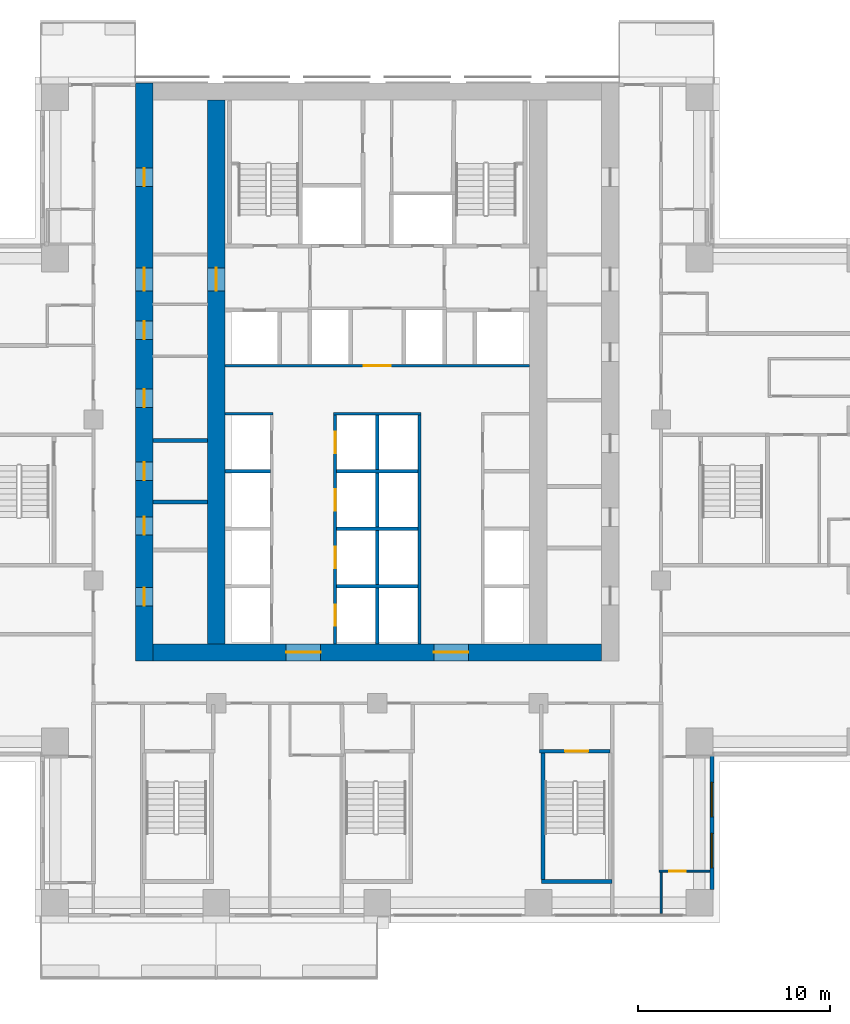
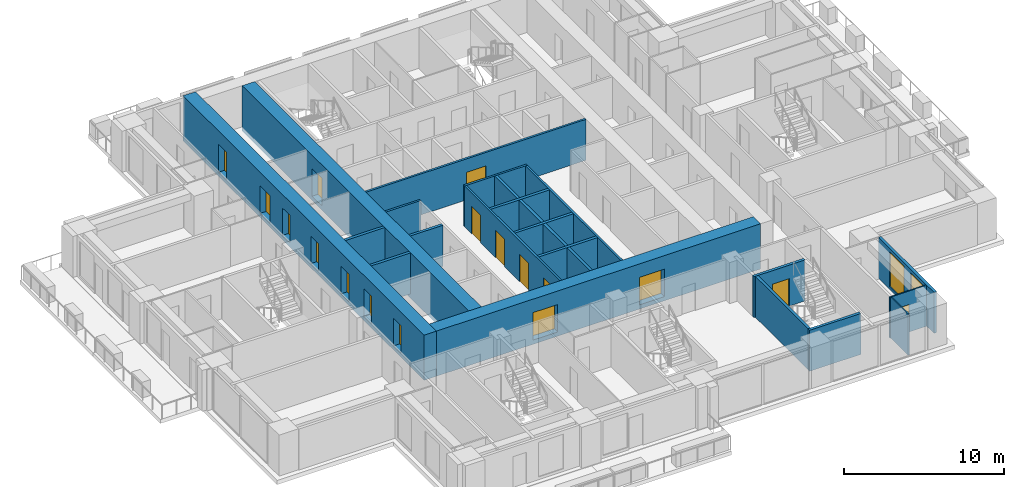
# One storey, part 8 of 17: 21 walls, 17 doors, 2 windows, 19 openings.
"""IFC4 building model written with IfcOpenShell, lengths in metres."""

from ifc_helpers import new_model, si_unit, direction, frame, frame_2d, origin, place, context, subcontext, project, spatial, rectangle, extrude, material, layer, layer_set, type_object, element, fill, save


model = new_model("IFC4")

# Units and contexts
model_context = context("Model", 3, precision=1e-05, world=origin(), true_north=direction((0.0, 1.0)))
body_context = subcontext(model_context, "Body", "Model", "MODEL_VIEW")
ifc_project = project(units=[si_unit("LENGTHUNIT", "METRE"), si_unit("AREAUNIT", "SQUARE_METRE"), si_unit("VOLUMEUNIT", "CUBIC_METRE"), si_unit("PLANEANGLEUNIT", "RADIAN"), si_unit("MASSUNIT", "GRAM", prefix="KILO")], contexts=[model_context])

# Site, building, storey
site_placement = place(None, origin())
site = spatial("IfcSite", under=ifc_project, at=site_placement, CompositionType="ELEMENT")
building_placement = place(site_placement, origin())
building = spatial("IfcBuilding", under=site, at=building_placement, Name="Vermilion Ogive Tower", CompositionType="ELEMENT")
storey_placement = place(building_placement, frame((0.0, 0.0, 58.64990234375)))
storey = spatial("IfcBuildingStorey", under=building, at=storey_placement, Name="L13", CompositionType="ELEMENT", Elevation=58.64990234375)

# Wall, openings, doors
ifc_material_1 = material(Name="Concrete B80", Category="concrete")
ifc_layer_1 = layer(ifc_material_1, 0.89990234375)
ifc_layer_set_1 = layer_set([ifc_layer_1], Name="Core wall 900 B80")
wall_type_1 = type_object("IfcWallType", Name="Core wall 900 B80", PredefinedType="SHEAR", material=ifc_layer_set_1)
wall_1_placement = place(storey_placement, frame((-12.14990234375, -8.39990234375, -0.31982421875), z_axis=(0.0, 0.0, 1.0), x_axis=(0.0, 1.0, 0.0)))
wall_1 = element("IfcWall", 1, at=wall_1_placement, inside=storey, type_object=wall_type_1, Name="L13-CORE-W", PredefinedType="SHEAR", context=body_context, shape_type="SweptSolid", body=[
    extrude(rectangle(XDim=30.14990234375, YDim=0.89990234375, at=frame_2d((15.074951171875, 0.0))), origin(), (0.0, 0.0, 1.0), 3.449951171875),
])
opening_1_placement = place(wall_1_placement, frame((2.875, 0.0, 0.320068359375)))
opening_1 = element("IfcOpeningElement", 2, at=opening_1_placement, cuts=wall_1, Name="Opening DAD017", PredefinedType="OPENING", context=body_context, shape_type="SweptSolid", body=[
    extrude(rectangle(XDim=0.949951171875, YDim=2.10009765625, at=frame_2d((0.47509765625, 1.050048828125))), frame((0.0, 0.4599609375, 0.0), z_axis=(0.0, -1.0, 0.0), x_axis=(1.0, 0.0, 0.0)), (0.0, 0.0, 1.0), 0.919921875),
])
opening_2_placement = place(wall_1_placement, frame((6.574951171875, 0.0, 0.320068359375)))
opening_2 = element("IfcOpeningElement", 3, at=opening_2_placement, cuts=wall_1, Name="Opening DAD018", PredefinedType="OPENING", context=body_context, shape_type="SweptSolid", body=[
    extrude(rectangle(XDim=0.949951171875, YDim=2.10009765625, at=frame_2d((0.47509765625, 1.050048828125))), frame((0.0, 0.4599609375, 0.0), z_axis=(0.0, -1.0, 0.0), x_axis=(1.0, 0.0, 0.0)), (0.0, 0.0, 1.0), 0.919921875),
])
opening_3_placement = place(wall_1_placement, frame((9.425048828125, 0.0, 0.320068359375)))
opening_3 = element("IfcOpeningElement", 4, at=opening_3_placement, cuts=wall_1, Name="Opening DAD019", PredefinedType="OPENING", context=body_context, shape_type="SweptSolid", body=[
    extrude(rectangle(XDim=0.949951171875, YDim=2.10009765625, at=frame_2d((0.47509765625, 1.050048828125))), frame((0.0, 0.4599609375, 0.0), z_axis=(0.0, -1.0, 0.0), x_axis=(1.0, 0.0, 0.0)), (0.0, 0.0, 1.0), 0.919921875),
])
opening_4_placement = place(wall_1_placement, frame((13.22509765625, 0.0, 0.320068359375)))
opening_4 = element("IfcOpeningElement", 5, at=opening_4_placement, cuts=wall_1, Name="Opening DAD020", PredefinedType="OPENING", context=body_context, shape_type="SweptSolid", body=[
    extrude(rectangle(XDim=0.949951171875, YDim=2.10009765625, at=frame_2d((0.47509765625, 1.050048828125))), frame((0.0, 0.4599609375, 0.0), z_axis=(0.0, -1.0, 0.0), x_axis=(1.0, 0.0, 0.0)), (0.0, 0.0, 1.0), 0.919921875),
])
opening_5_placement = place(wall_1_placement, frame((16.77490234375, 0.0, 0.320068359375)))
opening_5 = element("IfcOpeningElement", 6, at=opening_5_placement, cuts=wall_1, Name="Opening DAD021", PredefinedType="OPENING", context=body_context, shape_type="SweptSolid", body=[
    extrude(rectangle(XDim=0.949951171875, YDim=2.10009765625, at=frame_2d((0.47509765625, 1.050048828125))), frame((0.0, 0.4599609375, 0.0), z_axis=(0.0, -1.0, 0.0), x_axis=(1.0, 0.0, 0.0)), (0.0, 0.0, 1.0), 0.919921875),
])
opening_6_placement = place(wall_1_placement, frame((24.75, 0.0, 0.320068359375)))
opening_6 = element("IfcOpeningElement", 7, at=opening_6_placement, cuts=wall_1, Name="Opening DAD022", PredefinedType="OPENING", context=body_context, shape_type="SweptSolid", body=[
    extrude(rectangle(XDim=0.949951171875, YDim=2.10009765625, at=frame_2d((0.47509765625, 1.050048828125))), frame((0.0, 0.4599609375, 0.0), z_axis=(0.0, -1.0, 0.0), x_axis=(1.0, 0.0, 0.0)), (0.0, 0.0, 1.0), 0.919921875),
])
opening_7_placement = place(wall_1_placement, frame((19.300048828125, 0.0, 0.320068359375)))
opening_7 = element("IfcOpeningElement", 8, at=opening_7_placement, cuts=wall_1, Name="Opening DAM004", PredefinedType="OPENING", context=body_context, shape_type="SweptSolid", body=[
    extrude(rectangle(XDim=1.199951171875, YDim=2.10009765625, at=frame_2d((0.60009765625, 1.050048828125))), frame((0.0, 0.4599609375, 0.0), z_axis=(0.0, -1.0, 0.0), x_axis=(1.0, 0.0, 0.0)), (0.0, 0.0, 1.0), 0.919921875),
])
ifc_material_2 = material(Name="Timber door leaf", Category="wood")
door_type_1 = type_object("IfcDoorType", Name="Link door 1200 x 2100 FD60S", OperationType="SINGLE_SWING_LEFT", PredefinedType="DOOR", material=ifc_material_2)
door_1_placement = place(opening_7_placement, origin())
door_1 = element("IfcDoor", 9, at=door_1_placement, inside=storey, type_object=door_type_1, Name="L13-CKW-XL", OperationType="SINGLE_SWING_LEFT", OverallHeight=2.10009765625, OverallWidth=1.199951171875, PredefinedType="DOOR", context=body_context, shape_type="SweptSolid", body=[
    extrude(rectangle(XDim=1.199951171875, YDim=2.10009765625, at=frame_2d((0.60009765625, 1.050048828125))), frame((0.0, 0.02490234375, 0.0), z_axis=(0.0, -1.0, 0.0), x_axis=(1.0, 0.0, 0.0)), (0.0, 0.0, 1.0), 0.050048828125),
])
fill(opening_7, door_1)
ifc_material_3 = material(Name="Timber door leaf", Category="wood")
door_type_2 = type_object("IfcDoorType", Name="Service door 950 x 2100 FD60", OperationType="SINGLE_SWING_LEFT", PredefinedType="DOOR", material=ifc_material_3)
door_2_placement = place(opening_1_placement, origin())
door_2 = element("IfcDoor", 10, at=door_2_placement, inside=storey, type_object=door_type_2, Name="L13-CKW-XR0", OperationType="SINGLE_SWING_LEFT", OverallHeight=2.10009765625, OverallWidth=0.949951171875, PredefinedType="DOOR", context=body_context, shape_type="SweptSolid", body=[
    extrude(rectangle(XDim=0.949951171875, YDim=2.10009765625, at=frame_2d((0.47509765625, 1.050048828125))), frame((0.0, 0.02490234375, 0.0), z_axis=(0.0, -1.0, 0.0), x_axis=(1.0, 0.0, 0.0)), (0.0, 0.0, 1.0), 0.050048828125),
])
fill(opening_1, door_2)
door_3_placement = place(opening_2_placement, origin())
door_3 = element("IfcDoor", 11, at=door_3_placement, inside=storey, type_object=door_type_2, Name="L13-CKW-XR1", OperationType="SINGLE_SWING_LEFT", OverallHeight=2.10009765625, OverallWidth=0.949951171875, PredefinedType="DOOR", context=body_context, shape_type="SweptSolid", body=[
    extrude(rectangle(XDim=0.949951171875, YDim=2.10009765625, at=frame_2d((0.47509765625, 1.050048828125))), frame((0.0, 0.02490234375, 0.0), z_axis=(0.0, -1.0, 0.0), x_axis=(1.0, 0.0, 0.0)), (0.0, 0.0, 1.0), 0.050048828125),
])
fill(opening_2, door_3)
door_4_placement = place(opening_3_placement, origin())
door_4 = element("IfcDoor", 12, at=door_4_placement, inside=storey, type_object=door_type_2, Name="L13-CKW-XR2", OperationType="SINGLE_SWING_LEFT", OverallHeight=2.10009765625, OverallWidth=0.949951171875, PredefinedType="DOOR", context=body_context, shape_type="SweptSolid", body=[
    extrude(rectangle(XDim=0.949951171875, YDim=2.10009765625, at=frame_2d((0.47509765625, 1.050048828125))), frame((0.0, 0.02490234375, 0.0), z_axis=(0.0, -1.0, 0.0), x_axis=(1.0, 0.0, 0.0)), (0.0, 0.0, 1.0), 0.050048828125),
])
fill(opening_3, door_4)
door_5_placement = place(opening_4_placement, origin())
door_5 = element("IfcDoor", 13, at=door_5_placement, inside=storey, type_object=door_type_2, Name="L13-CKW-XR3", OperationType="SINGLE_SWING_LEFT", OverallHeight=2.10009765625, OverallWidth=0.949951171875, PredefinedType="DOOR", context=body_context, shape_type="SweptSolid", body=[
    extrude(rectangle(XDim=0.949951171875, YDim=2.10009765625, at=frame_2d((0.47509765625, 1.050048828125))), frame((0.0, 0.02490234375, 0.0), z_axis=(0.0, -1.0, 0.0), x_axis=(1.0, 0.0, 0.0)), (0.0, 0.0, 1.0), 0.050048828125),
])
fill(opening_4, door_5)
door_6_placement = place(opening_5_placement, origin())
door_6 = element("IfcDoor", 14, at=door_6_placement, inside=storey, type_object=door_type_2, Name="L13-CKW-XR4", OperationType="SINGLE_SWING_LEFT", OverallHeight=2.10009765625, OverallWidth=0.949951171875, PredefinedType="DOOR", context=body_context, shape_type="SweptSolid", body=[
    extrude(rectangle(XDim=0.949951171875, YDim=2.10009765625, at=frame_2d((0.47509765625, 1.050048828125))), frame((0.0, 0.02490234375, 0.0), z_axis=(0.0, -1.0, 0.0), x_axis=(1.0, 0.0, 0.0)), (0.0, 0.0, 1.0), 0.050048828125),
])
fill(opening_5, door_6)
door_7_placement = place(opening_6_placement, origin())
door_7 = element("IfcDoor", 15, at=door_7_placement, inside=storey, type_object=door_type_2, Name="L13-CKW-XR5", OperationType="SINGLE_SWING_LEFT", OverallHeight=2.10009765625, OverallWidth=0.949951171875, PredefinedType="DOOR", context=body_context, shape_type="SweptSolid", body=[
    extrude(rectangle(XDim=0.949951171875, YDim=2.10009765625, at=frame_2d((0.47509765625, 1.050048828125))), frame((0.0, 0.02490234375, 0.0), z_axis=(0.0, -1.0, 0.0), x_axis=(1.0, 0.0, 0.0)), (0.0, 0.0, 1.0), 0.050048828125),
])
fill(opening_6, door_7)

wall_2_placement = place(storey_placement, frame((-11.699951171875, -7.949951171875, -0.31982421875), z_axis=(0.0, 0.0, 1.0), x_axis=(1.0, 0.0, 0.0)))
wall_2 = element("IfcWall", 16, at=wall_2_placement, inside=storey, type_object=wall_type_1, Name="L13-CORE-S", PredefinedType="SHEAR", context=body_context, shape_type="SweptSolid", body=[
    extrude(rectangle(XDim=23.39990234375, YDim=0.89990234375, at=frame_2d((11.699951171875, 0.0))), origin(), (0.0, 0.0, 1.0), 3.449951171875),
])
opening_8_placement = place(wall_2_placement, frame((6.949951171875, 0.0, 0.320068359375)))
opening_8 = element("IfcOpeningElement", 17, at=opening_8_placement, cuts=wall_2, Name="Opening DAH007", PredefinedType="OPENING", context=body_context, shape_type="SweptSolid", body=[
    extrude(rectangle(XDim=1.800048828125, YDim=2.10009765625, at=frame_2d((0.89990234375, 1.050048828125))), frame((0.0, 0.4599609375, 0.0), z_axis=(0.0, -1.0, 0.0), x_axis=(1.0, 0.0, 0.0)), (0.0, 0.0, 1.0), 0.919921875),
])
opening_9_placement = place(wall_2_placement, frame((14.64990234375, 0.0, 0.320068359375)))
opening_9 = element("IfcOpeningElement", 18, at=opening_9_placement, cuts=wall_2, Name="Opening DAH008", PredefinedType="OPENING", context=body_context, shape_type="SweptSolid", body=[
    extrude(rectangle(XDim=1.800048828125, YDim=2.10009765625, at=frame_2d((0.89990234375, 1.050048828125))), frame((0.0, 0.4599609375, 0.0), z_axis=(0.0, -1.0, 0.0), x_axis=(1.0, 0.0, 0.0)), (0.0, 0.0, 1.0), 0.919921875),
])
ifc_material_4 = material(Name="Timber door leaf", Category="wood")
door_type_3 = type_object("IfcDoorType", Name="Core entry door 1800 x 2100 FD60S", OperationType="DOUBLE_DOOR_SINGLE_SWING", PredefinedType="DOOR", material=ifc_material_4)
door_8_placement = place(opening_8_placement, origin())
door_8 = element("IfcDoor", 19, at=door_8_placement, inside=storey, type_object=door_type_3, Name="L13-CK-XD1", OperationType="SINGLE_SWING_LEFT", OverallHeight=2.10009765625, OverallWidth=1.800048828125, PredefinedType="DOOR", context=body_context, shape_type="SweptSolid", body=[
    extrude(rectangle(XDim=1.800048828125, YDim=2.10009765625, at=frame_2d((0.89990234375, 1.050048828125))), frame((0.0, 0.02490234375, 0.0), z_axis=(0.0, -1.0, 0.0), x_axis=(1.0, 0.0, 0.0)), (0.0, 0.0, 1.0), 0.050048828125),
])
fill(opening_8, door_8)
door_9_placement = place(opening_9_placement, origin())
door_9 = element("IfcDoor", 20, at=door_9_placement, inside=storey, type_object=door_type_3, Name="L13-CK-XD2", OperationType="SINGLE_SWING_LEFT", OverallHeight=2.10009765625, OverallWidth=1.800048828125, PredefinedType="DOOR", context=body_context, shape_type="SweptSolid", body=[
    extrude(rectangle(XDim=1.800048828125, YDim=2.10009765625, at=frame_2d((0.89990234375, 1.050048828125))), frame((0.0, 0.02490234375, 0.0), z_axis=(0.0, -1.0, 0.0), x_axis=(1.0, 0.0, 0.0)), (0.0, 0.0, 1.0), 0.050048828125),
])
fill(opening_9, door_9)

# Wall, opening, door
wall_3_placement = place(storey_placement, frame((-8.39990234375, -7.5, -0.31982421875), z_axis=(0.0, 0.0, 1.0), x_axis=(0.0, 1.0, 0.0)))
wall_3 = element("IfcWall", 21, at=wall_3_placement, inside=storey, type_object=wall_type_1, Name="L13-CORE-WEB1", PredefinedType="SHEAR", context=body_context, shape_type="SweptSolid", body=[
    extrude(rectangle(XDim=28.35009765625, YDim=0.89990234375, at=frame_2d((14.175048828125, 0.0))), origin(), (0.0, 0.0, 1.0), 3.449951171875),
])
opening_10_placement = place(wall_3_placement, frame((18.39990234375, 0.0, 0.320068359375)))
opening_10 = element("IfcOpeningElement", 22, at=opening_10_placement, cuts=wall_3, Name="Opening DAP004", PredefinedType="OPENING", context=body_context, shape_type="SweptSolid", body=[
    extrude(rectangle(XDim=1.199951171875, YDim=2.10009765625, at=frame_2d((0.60009765625, 1.050048828125))), frame((0.0, 0.4599609375, 0.0), z_axis=(0.0, -1.0, 0.0), x_axis=(1.0, 0.0, 0.0)), (0.0, 0.0, 1.0), 0.919921875),
])
door_10_placement = place(opening_10_placement, origin())
door_10 = element("IfcDoor", 23, at=door_10_placement, inside=storey, type_object=door_type_1, Name="L13-CKW-XW", OperationType="SINGLE_SWING_LEFT", OverallHeight=2.10009765625, OverallWidth=1.199951171875, PredefinedType="DOOR", context=body_context, shape_type="SweptSolid", body=[
    extrude(rectangle(XDim=1.199951171875, YDim=2.10009765625, at=frame_2d((0.60009765625, 1.050048828125))), frame((0.0, 0.02490234375, 0.0), z_axis=(0.0, -1.0, 0.0), x_axis=(1.0, 0.0, 0.0)), (0.0, 0.0, 1.0), 0.050048828125),
])
fill(opening_10, door_10)

ifc_material_5 = material(Name="Gypsum board partition on steel studs", Category="steel")
ifc_layer_2 = layer(ifc_material_5, 0.10009765625)
ifc_layer_set_2 = layer_set([ifc_layer_2], Name="Partition 100 bath")
wall_type_2 = type_object("IfcWallType", Name="Partition 100 bath", PredefinedType="PARTITIONING", material=ifc_layer_set_2)
wall_4_placement = place(storey_placement, frame((14.699951171875, -19.35009765625, 0.0), z_axis=(0.0, 0.0, 1.0), x_axis=(1.0, 0.0, 0.0)))
wall_4 = element("IfcWall", 24, at=wall_4_placement, inside=storey, type_object=wall_type_2, Name="L13-W-W005", PredefinedType="PARTITIONING", context=body_context, shape_type="SweptSolid", body=[
    extrude(rectangle(XDim=2.650146484375, YDim=0.10009765625, at=frame_2d((1.3251953125, 0.0))), origin(), (0.0, 0.0, 1.0), 3.130126953125),
])
opening_11_placement = place(wall_4_placement, frame((0.525146484375, 0.0, 0.0)))
opening_11 = element("IfcOpeningElement", 25, at=opening_11_placement, cuts=wall_4, Name="Opening D1G4018", PredefinedType="OPENING", context=body_context, shape_type="SweptSolid", body=[
    extrude(rectangle(XDim=0.85009765625, YDim=2.10009765625, at=frame_2d((0.425048828125, 1.050048828125))), frame((0.0, 0.06005859375, 0.0), z_axis=(0.0, -1.0, 0.0), x_axis=(1.0, 0.0, 0.0)), (0.0, 0.0, 1.0), 0.1201171875),
])
ifc_material_6 = material(Name="Timber door leaf", Category="wood")
door_type_4 = type_object("IfcDoorType", Name="Bath door 850 x 2100 FD30", OperationType="SINGLE_SWING_LEFT", PredefinedType="DOOR", material=ifc_material_6)
door_11_placement = place(opening_11_placement, origin())
door_11 = element("IfcDoor", 26, at=door_11_placement, inside=storey, type_object=door_type_4, Name="L13-D-D018", OperationType="SINGLE_SWING_LEFT", OverallHeight=2.10009765625, OverallWidth=0.85009765625, PredefinedType="DOOR", context=body_context, shape_type="SweptSolid", body=[
    extrude(rectangle(XDim=0.85009765625, YDim=2.10009765625, at=frame_2d((0.425048828125, 1.050048828125))), frame((0.0, 0.02490234375, 0.0), z_axis=(0.0, -1.0, 0.0), x_axis=(1.0, 0.0, 0.0)), (0.0, 0.0, 1.0), 0.050048828125),
])
fill(opening_11, door_11)

# Walls
wall_5_placement = place(storey_placement, frame((14.800048828125, -21.550048828125, 0.0), z_axis=(0.0, 0.0, 1.0), x_axis=(0.0, 1.0, 0.0)))
element("IfcWall", 27, at=wall_5_placement, inside=storey, type_object=wall_type_2, Name="L13-W-W069", PredefinedType="PARTITIONING", context=body_context, shape_type="SweptSolid", body=[
    extrude(rectangle(XDim=2.150146484375, YDim=0.10009765625, at=frame_2d((1.0751953125, 0.0))), origin(), (0.0, 0.0, 1.0), 3.130126953125),
])
ifc_material_7 = material(Name="Gypsum board partition on steel studs", Category="steel")
ifc_layer_3 = layer(ifc_material_7, 0.14990234375)
ifc_layer_set_3 = layer_set([ifc_layer_3], Name="Partition 150 corridor")
wall_type_3 = type_object("IfcWallType", Name="Partition 150 corridor", PredefinedType="PARTITIONING", material=ifc_layer_set_3)
wall_6_placement = place(storey_placement, frame((-7.948974609375, 4.5, 0.0), z_axis=(0.0, 0.0, 1.0), x_axis=(1.0, 0.0, 0.0)))
element("IfcWall", 28, at=wall_6_placement, inside=storey, type_object=wall_type_3, Name="L13-CK-W-W010", PredefinedType="PARTITIONING", context=body_context, shape_type="SweptSolid", body=[
    extrude(rectangle(XDim=2.52392578125, YDim=0.14990234375, at=frame_2d((1.261962890625, 0.0))), origin(), (0.0, 0.0, 1.0), 3.130126953125),
])
wall_7_placement = place(storey_placement, frame((-2.27490234375, 4.5, 0.0), z_axis=(0.0, 0.0, 1.0), x_axis=(1.0, 0.0, 0.0)))
element("IfcWall", 29, at=wall_7_placement, inside=storey, type_object=wall_type_3, Name="L13-CK-W-W011", PredefinedType="PARTITIONING", context=body_context, shape_type="SweptSolid", body=[
    extrude(rectangle(XDim=4.5498046875, YDim=0.14990234375, at=frame_2d((2.27490234375, 0.0))), origin(), (0.0, 0.0, 1.0), 3.130126953125),
])

# Wall, opening, door
wall_8_placement = place(storey_placement, frame((-7.948974609375, 7.0, 0.0), z_axis=(0.0, 0.0, 1.0), x_axis=(1.0, 0.0, 0.0)))
wall_8 = element("IfcWall", 30, at=wall_8_placement, inside=storey, type_object=wall_type_3, Name="L13-CK-W-W013", PredefinedType="PARTITIONING", context=body_context, shape_type="SweptSolid", body=[
    extrude(rectangle(XDim=15.89794921875, YDim=0.14990234375, at=frame_2d((7.948974609375, 0.0))), origin(), (0.0, 0.0, 1.0), 3.130126953125),
])
opening_12_placement = place(wall_8_placement, frame((7.2490234375, 0.0, 0.0)))
opening_12 = element("IfcOpeningElement", 31, at=opening_12_placement, cuts=wall_8, Name="Opening DAA070", PredefinedType="OPENING", context=body_context, shape_type="SweptSolid", body=[
    extrude(rectangle(XDim=1.39990234375, YDim=2.10009765625, at=frame_2d((0.699951171875, 1.050048828125))), frame((0.0, 0.0849609375, 0.0), z_axis=(0.0, -1.0, 0.0), x_axis=(1.0, 0.0, 0.0)), (0.0, 0.0, 1.0), 0.169921875),
])
ifc_material_8 = material(Name="Timber door leaf", Category="wood")
door_type_5 = type_object("IfcDoorType", Name="Lobby door 1400 x 2100 FD60S", OperationType="SINGLE_SWING_LEFT", PredefinedType="DOOR", material=ifc_material_8)
door_12_placement = place(opening_12_placement, origin())
door_12 = element("IfcDoor", 32, at=door_12_placement, inside=storey, type_object=door_type_5, Name="L13-CK-D-D015", OperationType="SINGLE_SWING_RIGHT", OverallHeight=2.10009765625, OverallWidth=1.39990234375, PredefinedType="DOOR", context=body_context, shape_type="SweptSolid", body=[
    extrude(rectangle(XDim=1.39990234375, YDim=2.10009765625, at=frame_2d((0.699951171875, 1.050048828125))), frame((0.0, 0.02490234375, 0.0), z_axis=(0.0, -1.0, 0.0), x_axis=(1.0, 0.0, 0.0)), (0.0, 0.0, 1.0), 0.050048828125),
])
fill(opening_12, door_12)

# Wall, openings, doors
wall_9_placement = place(storey_placement, frame((-2.199951171875, -7.4990234375, 0.0), z_axis=(0.0, 0.0, 1.0), x_axis=(0.0, 1.0, 0.0)))
wall_9 = element("IfcWall", 33, at=wall_9_placement, inside=storey, type_object=wall_type_3, Name="L13-CK-W-W027", PredefinedType="PARTITIONING", context=body_context, shape_type="SweptSolid", body=[
    extrude(rectangle(XDim=11.924072265625, YDim=0.14990234375, at=frame_2d((5.9619140625, 0.0))), origin(), (0.0, 0.0, 1.0), 3.130126953125),
])
opening_13_placement = place(wall_9_placement, frame((0.948974609375, 0.0, 0.0)))
opening_13 = element("IfcOpeningElement", 34, at=opening_13_placement, cuts=wall_9, Name="Opening DAA085", PredefinedType="OPENING", context=body_context, shape_type="SweptSolid", body=[
    extrude(rectangle(XDim=1.10009765625, YDim=2.10009765625, at=frame_2d((0.550048828125, 1.050048828125))), frame((0.0, 0.0849609375, 0.0), z_axis=(0.0, -1.0, 0.0), x_axis=(1.0, 0.0, 0.0)), (0.0, 0.0, 1.0), 0.169921875),
])
opening_14_placement = place(wall_9_placement, frame((3.948974609375, 0.0, 0.0)))
opening_14 = element("IfcOpeningElement", 35, at=opening_14_placement, cuts=wall_9, Name="Opening DAA086", PredefinedType="OPENING", context=body_context, shape_type="SweptSolid", body=[
    extrude(rectangle(XDim=1.10009765625, YDim=2.10009765625, at=frame_2d((0.550048828125, 1.050048828125))), frame((0.0, 0.0849609375, 0.0), z_axis=(0.0, -1.0, 0.0), x_axis=(1.0, 0.0, 0.0)), (0.0, 0.0, 1.0), 0.169921875),
])
opening_15_placement = place(wall_9_placement, frame((6.948974609375, 0.0, 0.0)))
opening_15 = element("IfcOpeningElement", 36, at=opening_15_placement, cuts=wall_9, Name="Opening DAA087", PredefinedType="OPENING", context=body_context, shape_type="SweptSolid", body=[
    extrude(rectangle(XDim=1.10009765625, YDim=2.10009765625, at=frame_2d((0.550048828125, 1.050048828125))), frame((0.0, 0.0849609375, 0.0), z_axis=(0.0, -1.0, 0.0), x_axis=(1.0, 0.0, 0.0)), (0.0, 0.0, 1.0), 0.169921875),
])
opening_16_placement = place(wall_9_placement, frame((9.948974609375, 0.0, 0.0)))
opening_16 = element("IfcOpeningElement", 37, at=opening_16_placement, cuts=wall_9, Name="Opening DAA088", PredefinedType="OPENING", context=body_context, shape_type="SweptSolid", body=[
    extrude(rectangle(XDim=1.10009765625, YDim=2.10009765625, at=frame_2d((0.550048828125, 1.050048828125))), frame((0.0, 0.0849609375, 0.0), z_axis=(0.0, -1.0, 0.0), x_axis=(1.0, 0.0, 0.0)), (0.0, 0.0, 1.0), 0.169921875),
])
ifc_material_9 = material(Name="Stainless steel", Category="steel")
door_type_6 = type_object("IfcDoorType", Name="Lift landing door 1100 x 2100", OperationType="SLIDING_TO_LEFT", PredefinedType="DOOR", material=ifc_material_9)
door_13_placement = place(opening_13_placement, origin())
door_13 = element("IfcDoor", 38, at=door_13_placement, inside=storey, type_object=door_type_6, Name="L13-CK-D-D005", OperationType="SLIDING_TO_RIGHT", OverallHeight=2.10009765625, OverallWidth=1.10009765625, PredefinedType="DOOR", context=body_context, shape_type="SweptSolid", body=[
    extrude(rectangle(XDim=1.10009765625, YDim=2.10009765625, at=frame_2d((0.550048828125, 1.050048828125))), frame((0.0, 0.02490234375, 0.0), z_axis=(0.0, -1.0, 0.0), x_axis=(1.0, 0.0, 0.0)), (0.0, 0.0, 1.0), 0.050048828125),
])
fill(opening_13, door_13)
door_14_placement = place(opening_14_placement, origin())
door_14 = element("IfcDoor", 39, at=door_14_placement, inside=storey, type_object=door_type_6, Name="L13-CK-D-D006", OperationType="SLIDING_TO_RIGHT", OverallHeight=2.10009765625, OverallWidth=1.10009765625, PredefinedType="DOOR", context=body_context, shape_type="SweptSolid", body=[
    extrude(rectangle(XDim=1.10009765625, YDim=2.10009765625, at=frame_2d((0.550048828125, 1.050048828125))), frame((0.0, 0.02490234375, 0.0), z_axis=(0.0, -1.0, 0.0), x_axis=(1.0, 0.0, 0.0)), (0.0, 0.0, 1.0), 0.050048828125),
])
fill(opening_14, door_14)
door_15_placement = place(opening_15_placement, origin())
door_15 = element("IfcDoor", 40, at=door_15_placement, inside=storey, type_object=door_type_6, Name="L13-CK-D-D007", OperationType="SLIDING_TO_RIGHT", OverallHeight=2.10009765625, OverallWidth=1.10009765625, PredefinedType="DOOR", context=body_context, shape_type="SweptSolid", body=[
    extrude(rectangle(XDim=1.10009765625, YDim=2.10009765625, at=frame_2d((0.550048828125, 1.050048828125))), frame((0.0, 0.02490234375, 0.0), z_axis=(0.0, -1.0, 0.0), x_axis=(1.0, 0.0, 0.0)), (0.0, 0.0, 1.0), 0.050048828125),
])
fill(opening_15, door_15)
door_16_placement = place(opening_16_placement, origin())
door_16 = element("IfcDoor", 41, at=door_16_placement, inside=storey, type_object=door_type_6, Name="L13-CK-D-D008", OperationType="SLIDING_TO_RIGHT", OverallHeight=2.10009765625, OverallWidth=1.10009765625, PredefinedType="DOOR", context=body_context, shape_type="SweptSolid", body=[
    extrude(rectangle(XDim=1.10009765625, YDim=2.10009765625, at=frame_2d((0.550048828125, 1.050048828125))), frame((0.0, 0.02490234375, 0.0), z_axis=(0.0, -1.0, 0.0), x_axis=(1.0, 0.0, 0.0)), (0.0, 0.0, 1.0), 0.050048828125),
])
fill(opening_16, door_16)

# Walls
wall_10_placement = place(storey_placement, frame((2.199951171875, -7.4990234375, 0.0), z_axis=(0.0, 0.0, 1.0), x_axis=(0.0, 1.0, 0.0)))
element("IfcWall", 42, at=wall_10_placement, inside=storey, type_object=wall_type_3, Name="L13-CK-W-W034", PredefinedType="PARTITIONING", context=body_context, shape_type="SweptSolid", body=[
    extrude(rectangle(XDim=11.924072265625, YDim=0.14990234375, at=frame_2d((5.9619140625, 0.0))), origin(), (0.0, 0.0, 1.0), 3.130126953125),
])
ifc_material_10 = material(Name="Gypsum board partition on steel studs", Category="steel")
ifc_layer_4 = layer(ifc_material_10, 0.199951171875)
ifc_layer_set_4 = layer_set([ifc_layer_4], Name="Partition 200 party")
wall_type_4 = type_object("IfcWallType", Name="Partition 200 party", PredefinedType="PARTITIONING", material=ifc_layer_set_4)
for number, where, z_axis, x_axis, name in (
    (43, (-2.125, -4.5, 0.0), (0.0, 0.0, 1.0), (1.0, 0.0, 0.0), "L13-CK-W-W002"),
    (44, (-2.125, -1.5, 0.0), (0.0, 0.0, 1.0), (1.0, 0.0, 0.0), "L13-CK-W-W005"),
):
    element("IfcWall", number, at=place(storey_placement, frame(where, z_axis=z_axis, x_axis=x_axis)), inside=storey, type_object=wall_type_4, Name=name, PredefinedType="PARTITIONING", context=body_context, shape_type="SweptSolid", body=[
        extrude(rectangle(XDim=4.25, YDim=0.199951171875, at=frame_2d((2.125, 0.0))), origin(), (0.0, 0.0, 1.0), 3.130126953125),
    ])
wall_11_placement = place(storey_placement, frame((-7.948974609375, 1.5, 0.0), z_axis=(0.0, 0.0, 1.0), x_axis=(1.0, 0.0, 0.0)))
element("IfcWall", 45, at=wall_11_placement, inside=storey, type_object=wall_type_4, Name="L13-CK-W-W007", PredefinedType="PARTITIONING", context=body_context, shape_type="SweptSolid", body=[
    extrude(rectangle(XDim=2.3740234375, YDim=0.199951171875, at=frame_2d((1.18701171875, 0.0))), origin(), (0.0, 0.0, 1.0), 3.130126953125),
])
wall_12_placement = place(storey_placement, frame((-2.125, 1.5, 0.0), z_axis=(0.0, 0.0, 1.0), x_axis=(1.0, 0.0, 0.0)))
element("IfcWall", 46, at=wall_12_placement, inside=storey, type_object=wall_type_4, Name="L13-CK-W-W008", PredefinedType="PARTITIONING", context=body_context, shape_type="SweptSolid", body=[
    extrude(rectangle(XDim=4.25, YDim=0.199951171875, at=frame_2d((2.125, 0.0))), origin(), (0.0, 0.0, 1.0), 3.130126953125),
])
wall_13_placement = place(storey_placement, frame((0.0, -7.4990234375, 0.0), z_axis=(0.0, 0.0, 1.0), x_axis=(0.0, 1.0, 0.0)))
element("IfcWall", 47, at=wall_13_placement, inside=storey, type_object=wall_type_4, Name="L13-CK-W-W030", PredefinedType="PARTITIONING", context=body_context, shape_type="SweptSolid", body=[
    extrude(rectangle(XDim=11.924072265625, YDim=0.199951171875, at=frame_2d((5.9619140625, 0.0))), origin(), (0.0, 0.0, 1.0), 3.130126953125),
])
for number, where, z_axis, x_axis, name in (
    (48, (-11.698974609375, -0.10009765625, 0.0), (0.0, 0.0, 1.0), (1.0, 0.0, 0.0), "L13-CKW-W-W002"),
    (49, (-11.698974609375, 3.10009765625, 0.0), (0.0, 0.0, 1.0), (1.0, 0.0, 0.0), "L13-CKW-W-W003"),
):
    element("IfcWall", number, at=place(storey_placement, frame(where, z_axis=z_axis, x_axis=x_axis)), inside=storey, type_object=wall_type_4, Name=name, PredefinedType="PARTITIONING", context=body_context, shape_type="SweptSolid", body=[
        extrude(rectangle(XDim=2.847900390625, YDim=0.199951171875, at=frame_2d((1.423828125, 0.0))), origin(), (0.0, 0.0, 1.0), 3.130126953125),
    ])
ifc_material_11 = material(Name="Concrete B60", Category="concrete")
ifc_layer_5 = layer(ifc_material_11, 0.199951171875)
ifc_layer_set_5 = layer_set([ifc_layer_5], Name="Stair shaft wall 200 Concrete B60")
wall_type_5 = type_object("IfcWallType", Name="Stair shaft wall 200 Concrete B60", PredefinedType="SOLIDWALL", material=ifc_layer_set_5)
wall_14_placement = place(storey_placement, frame((8.552001953125, -19.89990234375, 0.0), z_axis=(0.0, 0.0, 1.0), x_axis=(1.0, 0.0, 0.0)))
element("IfcWall", 50, at=wall_14_placement, inside=storey, type_object=wall_type_5, Name="L13-W-W004", PredefinedType="SOLIDWALL", context=body_context, shape_type="SweptSolid", body=[
    extrude(rectangle(XDim=3.696044921875, YDim=0.199951171875, at=frame_2d((1.84814453125, 0.0))), origin(), (0.0, 0.0, 1.0), 3.130126953125),
])

# Wall, opening, door
wall_15_placement = place(storey_placement, frame((8.451904296875, -13.10009765625, 0.0), z_axis=(0.0, 0.0, 1.0), x_axis=(1.0, 0.0, 0.0)))
wall_15 = element("IfcWall", 51, at=wall_15_placement, inside=storey, type_object=wall_type_5, Name="L13-W-W011", PredefinedType="SOLIDWALL", context=body_context, shape_type="SweptSolid", body=[
    extrude(rectangle(XDim=3.696044921875, YDim=0.199951171875, at=frame_2d((1.84814453125, 0.0))), origin(), (0.0, 0.0, 1.0), 3.130126953125),
])
opening_17_placement = place(wall_15_placement, frame((1.34814453125, 0.0, 0.0)))
opening_17 = element("IfcOpeningElement", 52, at=opening_17_placement, cuts=wall_15, Name="Opening D1G4033", PredefinedType="OPENING", context=body_context, shape_type="SweptSolid", body=[
    extrude(rectangle(XDim=1.199951171875, YDim=2.10009765625, at=frame_2d((0.60009765625, 1.050048828125))), frame((0.0, 0.10986328125, 0.0), z_axis=(0.0, -1.0, 0.0), x_axis=(1.0, 0.0, 0.0)), (0.0, 0.0, 1.0), 0.219970703125),
])
ifc_material_12 = material(Name="Timber door leaf", Category="wood")
door_type_7 = type_object("IfcDoorType", Name="Stair door 1200 x 2100 FD60S", OperationType="SINGLE_SWING_LEFT", PredefinedType="DOOR", material=ifc_material_12)
door_17_placement = place(opening_17_placement, origin())
door_17 = element("IfcDoor", 53, at=door_17_placement, inside=storey, type_object=door_type_7, Name="L13-D-D033", OperationType="SINGLE_SWING_RIGHT", OverallHeight=2.10009765625, OverallWidth=1.199951171875, PredefinedType="DOOR", context=body_context, shape_type="SweptSolid", body=[
    extrude(rectangle(XDim=1.199951171875, YDim=2.10009765625, at=frame_2d((0.60009765625, 1.050048828125))), frame((0.0, 0.02490234375, 0.0), z_axis=(0.0, -1.0, 0.0), x_axis=(1.0, 0.0, 0.0)), (0.0, 0.0, 1.0), 0.050048828125),
])
fill(opening_17, door_17)

# Wall
wall_16_placement = place(storey_placement, frame((8.64990234375, -19.798095703125, 0.0), z_axis=(0.0, 0.0, 1.0), x_axis=(0.0, 1.0, 0.0)))
element("IfcWall", 54, at=wall_16_placement, inside=storey, type_object=wall_type_5, Name="L13-W-W066", PredefinedType="SOLIDWALL", context=body_context, shape_type="SweptSolid", body=[
    extrude(rectangle(XDim=6.59619140625, YDim=0.199951171875, at=frame_2d((3.298095703125, 0.0))), origin(), (0.0, 0.0, 1.0), 3.130126953125),
])

# Wall, openings, windows
ifc_material_13 = material(Name="Aluminium window wall framing", Category="aluminium")
ifc_layer_6 = layer(ifc_material_13, 0.199951171875)
ifc_layer_set_6 = layer_set([ifc_layer_6], Name="Window wall")
wall_type_6 = type_object("IfcWallType", Name="Window wall", PredefinedType="STANDARD", material=ifc_layer_set_6)
wall_17_placement = place(storey_placement, frame((17.449951171875, -20.300048828125, 0.0), z_axis=(0.0, 0.0, 1.0), x_axis=(0.0, 1.0, 0.0)))
wall_17 = element("IfcWall", 55, at=wall_17_placement, inside=storey, type_object=wall_type_6, Name="Window wall X11", PredefinedType="STANDARD", context=body_context, shape_type="SweptSolid", body=[
    extrude(rectangle(XDim=6.949951171875, YDim=0.199951171875, at=frame_2d((3.47509765625, 0.0))), origin(), (0.0, 0.0, 1.0), 3.130126953125),
])
opening_18_placement = place(wall_17_placement, frame((1.1201171875, 0.0, 0.199951171875)))
opening_18 = element("IfcOpeningElement", 56, at=opening_18_placement, cuts=wall_17, Name="Opening W1-X195", PredefinedType="OPENING", context=body_context, shape_type="SweptSolid", body=[
    extrude(rectangle(XDim=1.800048828125, YDim=2.64990234375, at=frame_2d((0.89990234375, 1.324951171875))), frame((0.0, 0.10986328125, 0.0), z_axis=(0.0, -1.0, 0.0), x_axis=(1.0, 0.0, 0.0)), (0.0, 0.0, 1.0), 0.219970703125),
])
opening_19_placement = place(wall_17_placement, frame((3.77490234375, 0.0, 0.199951171875)))
opening_19 = element("IfcOpeningElement", 57, at=opening_19_placement, cuts=wall_17, Name="Opening W1-X196", PredefinedType="OPENING", context=body_context, shape_type="SweptSolid", body=[
    extrude(rectangle(XDim=1.800048828125, YDim=2.64990234375, at=frame_2d((0.89990234375, 1.324951171875))), frame((0.0, 0.10986328125, 0.0), z_axis=(0.0, -1.0, 0.0), x_axis=(1.0, 0.0, 0.0)), (0.0, 0.0, 1.0), 0.219970703125),
])
ifc_material_14 = material(Name="Aluminium framed double glazing", Category="aluminium")
window_type = type_object("IfcWindowType", Name="Guest window W1", PartitioningType="SINGLE_PANEL", PredefinedType="WINDOW", material=ifc_material_14)
window_1_placement = place(opening_18_placement, origin())
window_1 = element("IfcWindow", 58, at=window_1_placement, inside=storey, type_object=window_type, Name="Window X195", OverallHeight=2.64990234375, OverallWidth=1.800048828125, PartitioningType="SINGLE_PANEL", PredefinedType="WINDOW", context=body_context, shape_type="SweptSolid", body=[
    extrude(rectangle(XDim=1.800048828125, YDim=2.64990234375, at=frame_2d((0.89990234375, 1.324951171875))), frame((0.0, 0.030029296875, 0.0), z_axis=(0.0, -1.0, 0.0), x_axis=(1.0, 0.0, 0.0)), (0.0, 0.0, 1.0), 0.06005859375),
])
fill(opening_18, window_1)
window_2_placement = place(opening_19_placement, origin())
window_2 = element("IfcWindow", 59, at=window_2_placement, inside=storey, type_object=window_type, Name="Window X196", OverallHeight=2.64990234375, OverallWidth=1.800048828125, PartitioningType="SINGLE_PANEL", PredefinedType="WINDOW", context=body_context, shape_type="SweptSolid", body=[
    extrude(rectangle(XDim=1.800048828125, YDim=2.64990234375, at=frame_2d((0.89990234375, 1.324951171875))), frame((0.0, 0.030029296875, 0.0), z_axis=(0.0, -1.0, 0.0), x_axis=(1.0, 0.0, 0.0)), (0.0, 0.0, 1.0), 0.06005859375),
])
fill(opening_19, window_2)

save(model, "model.ifc")
